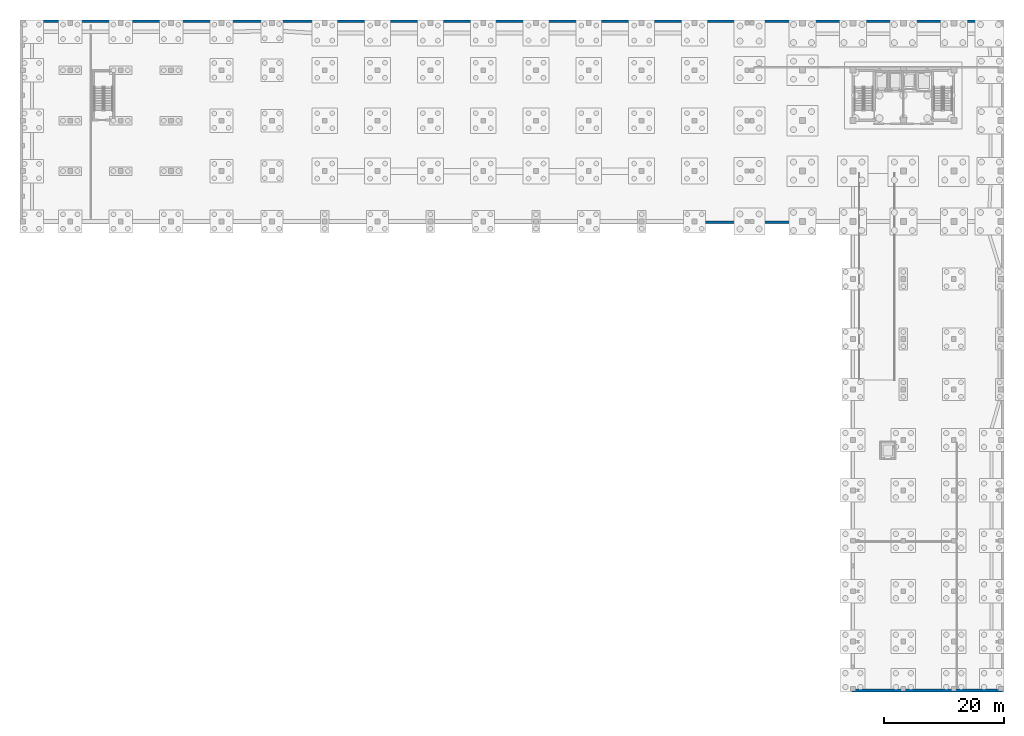
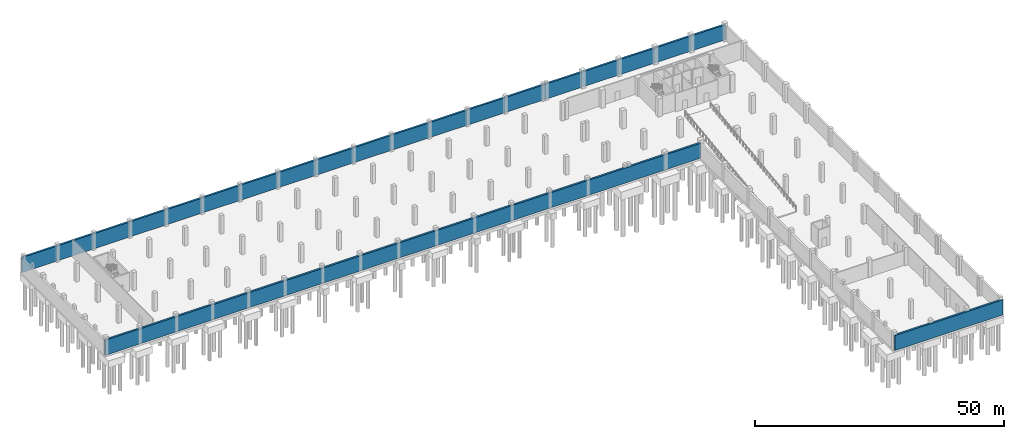
# One storey, part 10 of 18: 3 walls.
"""IFC4 building model written with IfcOpenShell, lengths in metres."""

from ifc_helpers import new_model, si_unit, direction, frame, frame_2d, origin, place, context, subcontext, project, spatial, rectangle, extrude, material, layer, layer_set, type_object, element, save


model = new_model("IFC4")

# Units and contexts
model_context = context("Model", 3, precision=1e-05, world=origin(), true_north=direction((0.0, 1.0)))
body_context = subcontext(model_context, "Body", "Model", "MODEL_VIEW")
ifc_project = project(units=[si_unit("LENGTHUNIT", "METRE"), si_unit("AREAUNIT", "SQUARE_METRE"), si_unit("VOLUMEUNIT", "CUBIC_METRE"), si_unit("PLANEANGLEUNIT", "RADIAN"), si_unit("MASSUNIT", "GRAM", prefix="KILO")], contexts=[model_context])

# Site, building, storey
site_placement = place(None, origin())
site = spatial("IfcSite", under=ifc_project, at=site_placement, CompositionType="ELEMENT")
building_placement = place(site_placement, origin())
building = spatial("IfcBuilding", under=site, at=building_placement, Name="Brinegate Botanical Conservatory", CompositionType="ELEMENT")
storey_placement = place(building_placement, frame((0.0, 0.0, -9.60009765625)))
storey = spatial("IfcBuildingStorey", under=building, at=storey_placement, Name="B2", CompositionType="ELEMENT", Elevation=-9.60009765625)

# Walls
ifc_material = material(Name="Concrete C50/60", Category="concrete")
ifc_layer = layer(ifc_material, 0.449951171875, Name="Concrete C50/60", Category="concrete")
ifc_layer_set = layer_set([ifc_layer], Name="Concrete C50/60")
wall_type = type_object("IfcWallType", Name="Wall_SW-450", PredefinedType="SHEAR", material=ifc_layer_set)
wall_1_placement = place(storey_placement, frame((0.260009765625, 78.25, 0.0), z_axis=(0.0, 0.0, 1.0), x_axis=(1.0, 0.0, 0.0)))
element("IfcWall", 1, at=wall_1_placement, inside=storey, type_object=wall_type, Name="Basement perimeter retaining shear wall B2.1", PredefinedType="SHEAR", context=body_context, shape_type="SweptSolid", body=[
    extrude(rectangle(XDim=138.389892578125, YDim=0.449951171875, at=frame_2d((69.19482421875, 0.0))), origin(), (0.0, 0.0, 1.0), 3.7001953125),
])
wall_2_placement = place(storey_placement, frame((138.64990234375, 0.260009765625, 0.0), z_axis=(0.0, 0.0, 1.0), x_axis=(1.0, 0.0, 0.0)))
element("IfcWall", 2, at=wall_2_placement, inside=storey, type_object=wall_type, Name="Basement perimeter retaining shear wall B2.3", PredefinedType="SHEAR", context=body_context, shape_type="SweptSolid", body=[
    extrude(rectangle(XDim=25.090087890625, YDim=0.449951171875, at=frame_2d((12.544921875, 0.0))), origin(), (0.0, 0.0, 1.0), 3.7001953125),
])
wall_3_placement = place(storey_placement, frame((163.739990234375, 111.739990234375, 0.0), z_axis=(0.0, 0.0, 1.0), x_axis=(-1.0, 0.0, 0.0)))
element("IfcWall", 3, at=wall_3_placement, inside=storey, type_object=wall_type, Name="Basement perimeter retaining shear wall B2.5", PredefinedType="SHEAR", context=body_context, shape_type="SweptSolid", body=[
    extrude(rectangle(XDim=163.47998046875, YDim=0.449951171875, at=frame_2d((81.739990234375, 0.0))), origin(), (0.0, 0.0, 1.0), 3.7001953125),
])

save(model, "model.ifc")
